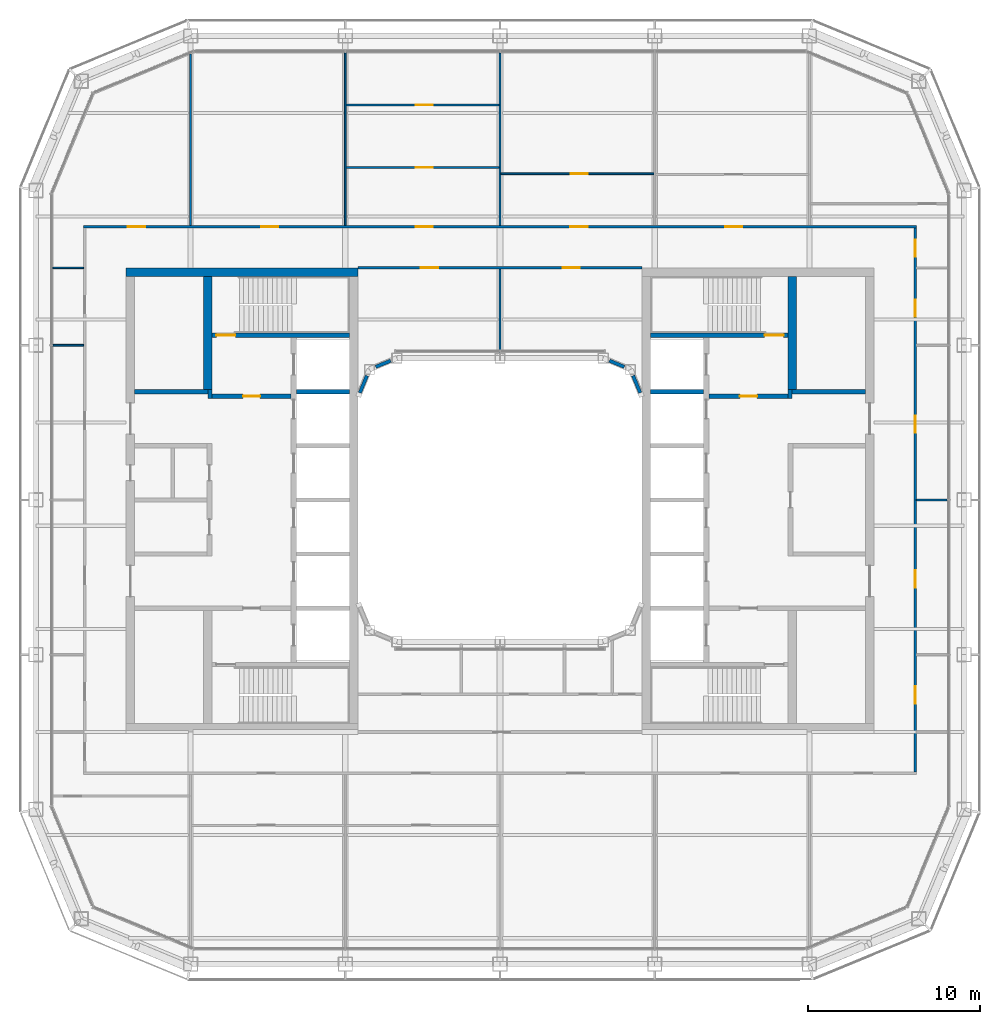
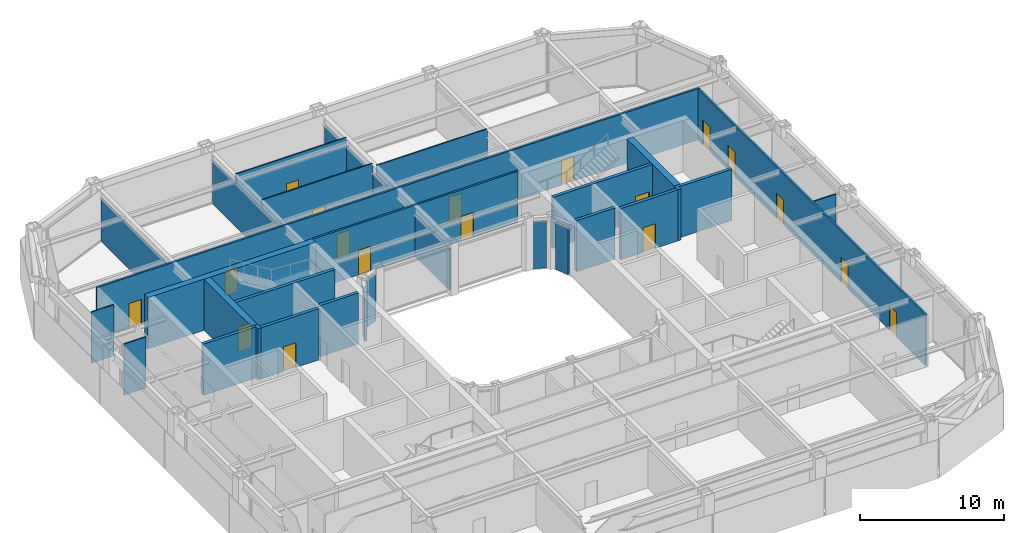
# One storey, part 14 of 19: 30 walls, 19 doors, 19 openings.
"""IFC4 building model written with IfcOpenShell, lengths in metres."""

from ifc_helpers import new_model, si_unit, direction, frame, frame_2d, origin, place, context, subcontext, project, spatial, rectangle, extrude, material, layer, layer_set, type_object, element, fill, save


model = new_model("IFC4")

# Units and contexts
model_context = context("Model", 3, precision=1e-05, world=origin(), true_north=direction((0.0, 1.0)))
body_context = subcontext(model_context, "Body", "Model", "MODEL_VIEW")
ifc_project = project(units=[si_unit("LENGTHUNIT", "METRE"), si_unit("AREAUNIT", "SQUARE_METRE"), si_unit("VOLUMEUNIT", "CUBIC_METRE"), si_unit("PLANEANGLEUNIT", "RADIAN"), si_unit("MASSUNIT", "GRAM", prefix="KILO")], contexts=[model_context])

# Site, building, storey
site_placement = place(None, origin())
site = spatial("IfcSite", under=ifc_project, at=site_placement, CompositionType="ELEMENT")
building_placement = place(site_placement, origin())
building = spatial("IfcBuilding", under=site, at=building_placement, Name="Siwar Civic Tower", CompositionType="ELEMENT")
storey_placement = place(building_placement, frame((0.0, 0.0, 210.699951171875)))
storey = spatial("IfcBuildingStorey", under=building, at=storey_placement, Name="L45", CompositionType="ELEMENT", Elevation=210.699951171875)

# Wall, opening, door
ifc_material_1 = material(Name="Concrete C60/75", Category="concrete")
ifc_layer_1 = layer(ifc_material_1, 0.25)
ifc_layer_set_1 = layer_set([ifc_layer_1], Name="Concrete C60/75")
wall_type_1 = type_object("IfcWallType", Name="CORE-WALL-RC250", PredefinedType="SHEAR", material=ifc_layer_set_1)
wall_1_placement = place(storey_placement, frame((-12.14990234375, 6.02490234375, 0.0), z_axis=(0.0, 0.0, 1.0), x_axis=(-1.0, 0.0, 0.0)))
wall_1 = element("IfcWall", 1, at=wall_1_placement, inside=storey, type_object=wall_type_1, Name="Core wall W", PredefinedType="SHEAR", context=body_context, shape_type="SweptSolid", body=[
    extrude(rectangle(XDim=4.60009765625, YDim=0.25, at=frame_2d((2.300048828125, 0.0))), origin(), (0.0, 0.0, 1.0), 4.35009765625),
])
opening_1_placement = place(wall_1_placement, frame((1.800048828125, 0.0, 0.0)))
opening_1 = element("IfcOpeningElement", 2, at=opening_1_placement, cuts=wall_1, Name="Opening L45-CW01", PredefinedType="OPENING", context=body_context, shape_type="SweptSolid", body=[
    extrude(rectangle(XDim=1.0, YDim=2.10009765625, at=frame_2d((0.5, 1.050048828125))), frame((0.0, 0.135009765625, 0.0), z_axis=(0.0, -1.0, 0.0), x_axis=(1.0, 0.0, 0.0)), (0.0, 0.0, 1.0), 0.27001953125),
])
ifc_material_2 = material(Name="Steel door leaf", Category="steel")
door_type_1 = type_object("IfcDoorType", Name="CORE-DOOR-FD30S", OperationType="SINGLE_SWING_LEFT", PredefinedType="DOOR", material=ifc_material_2)
door_1_placement = place(opening_1_placement, origin())
door_1 = element("IfcDoor", 3, at=door_1_placement, inside=storey, type_object=door_type_1, Name="Firefighting lobby door L45-CW01", OperationType="SINGLE_SWING_LEFT", OverallHeight=2.10009765625, OverallWidth=1.0, PredefinedType="DOOR", context=body_context, shape_type="SweptSolid", body=[
    extrude(rectangle(XDim=1.0, YDim=2.10009765625, at=frame_2d((0.5, 1.050048828125))), frame((0.0, 0.02490234375, 0.0), z_axis=(0.0, -1.0, 0.0), x_axis=(1.0, 0.0, 0.0)), (0.0, 0.0, 1.0), 0.050048828125),
])
fill(opening_1, door_1)

# Walls
wall_2_placement = place(storey_placement, frame((-16.875, 5.89990234375, 0.0), z_axis=(0.0, 0.0, 1.0), x_axis=(0.0, 1.0, 0.0)))
element("IfcWall", 4, at=wall_2_placement, inside=storey, type_object=wall_type_1, Name="Core wall W", PredefinedType="SHEAR", context=body_context, shape_type="SweptSolid", body=[
    extrude(rectangle(XDim=0.525146484375, YDim=0.25, at=frame_2d((0.2626953125, 0.0))), origin(), (0.0, 0.0, 1.0), 4.35009765625),
])
wall_3_placement = place(storey_placement, frame((-17.0, 6.300048828125, 0.0), z_axis=(0.0, 0.0, 1.0), x_axis=(-1.0, 0.0, 0.0)))
element("IfcWall", 5, at=wall_3_placement, inside=storey, type_object=wall_type_1, Name="Core wall W", PredefinedType="SHEAR", context=body_context, shape_type="SweptSolid", body=[
    extrude(rectangle(XDim=4.25, YDim=0.25, at=frame_2d((2.125, 0.0))), origin(), (0.0, 0.0, 1.0), 4.35009765625),
])
wall_4_placement = place(storey_placement, frame((-8.75, 6.300048828125, 0.0), z_axis=(0.0, 0.0, 1.0), x_axis=(-1.0, 0.0, 0.0)))
element("IfcWall", 6, at=wall_4_placement, inside=storey, type_object=wall_type_1, Name="Core wall W", PredefinedType="SHEAR", context=body_context, shape_type="SweptSolid", body=[
    extrude(rectangle(XDim=3.10009765625, YDim=0.25, at=frame_2d((1.550048828125, 0.0))), origin(), (0.0, 0.0, 1.0), 4.35009765625),
])

# Wall, opening, door
wall_5_placement = place(storey_placement, frame((-8.75, 9.574951171875, 0.0), z_axis=(0.0, 0.0, 1.0), x_axis=(-1.0, 0.0, 0.0)))
wall_5 = element("IfcWall", 7, at=wall_5_placement, inside=storey, type_object=wall_type_1, Name="Core wall W", PredefinedType="SHEAR", context=body_context, shape_type="SweptSolid", body=[
    extrude(rectangle(XDim=8.0, YDim=0.25, at=frame_2d((4.0, 0.0))), origin(), (0.0, 0.0, 1.0), 4.35009765625),
])
opening_2_placement = place(wall_5_placement, frame((6.64990234375, 0.0, 0.0)))
opening_2 = element("IfcOpeningElement", 8, at=opening_2_placement, cuts=wall_5, Name="Opening L45-CW03", PredefinedType="OPENING", context=body_context, shape_type="SweptSolid", body=[
    extrude(rectangle(XDim=1.10009765625, YDim=2.10009765625, at=frame_2d((0.550048828125, 1.050048828125))), frame((0.0, 0.135009765625, 0.0), z_axis=(0.0, -1.0, 0.0), x_axis=(1.0, 0.0, 0.0)), (0.0, 0.0, 1.0), 0.27001953125),
])
ifc_material_3 = material(Name="Steel door leaf", Category="steel")
door_type_2 = type_object("IfcDoorType", Name="CORE-DOOR-FD60S", OperationType="SINGLE_SWING_LEFT", PredefinedType="DOOR", material=ifc_material_3)
door_2_placement = place(opening_2_placement, origin())
door_2 = element("IfcDoor", 9, at=door_2_placement, inside=storey, type_object=door_type_2, Name="Stair door L45-CW03", OperationType="SINGLE_SWING_RIGHT", OverallHeight=2.10009765625, OverallWidth=1.10009765625, PredefinedType="DOOR", context=body_context, shape_type="SweptSolid", body=[
    extrude(rectangle(XDim=1.10009765625, YDim=2.10009765625, at=frame_2d((0.550048828125, 1.050048828125))), frame((0.0, 0.02490234375, 0.0), z_axis=(0.0, -1.0, 0.0), x_axis=(1.0, 0.0, 0.0)), (0.0, 0.0, 1.0), 0.050048828125),
])
fill(opening_2, door_2)

wall_6_placement = place(storey_placement, frame((12.14990234375, 6.02490234375, 0.0), z_axis=(0.0, 0.0, 1.0), x_axis=(1.0, 0.0, 0.0)))
wall_6 = element("IfcWall", 10, at=wall_6_placement, inside=storey, type_object=wall_type_1, Name="Core wall E", PredefinedType="SHEAR", context=body_context, shape_type="SweptSolid", body=[
    extrude(rectangle(XDim=4.60009765625, YDim=0.25, at=frame_2d((2.300048828125, 0.0))), origin(), (0.0, 0.0, 1.0), 4.35009765625),
])
opening_3_placement = place(wall_6_placement, frame((1.800048828125, 0.0, 0.0)))
opening_3 = element("IfcOpeningElement", 11, at=opening_3_placement, cuts=wall_6, Name="Opening L45-CE01", PredefinedType="OPENING", context=body_context, shape_type="SweptSolid", body=[
    extrude(rectangle(XDim=1.0, YDim=2.10009765625, at=frame_2d((0.5, 1.050048828125))), frame((0.0, 0.135009765625, 0.0), z_axis=(0.0, -1.0, 0.0), x_axis=(1.0, 0.0, 0.0)), (0.0, 0.0, 1.0), 0.27001953125),
])
door_3_placement = place(opening_3_placement, origin())
door_3 = element("IfcDoor", 12, at=door_3_placement, inside=storey, type_object=door_type_1, Name="Firefighting lobby door L45-CE01", OperationType="SINGLE_SWING_RIGHT", OverallHeight=2.10009765625, OverallWidth=1.0, PredefinedType="DOOR", context=body_context, shape_type="SweptSolid", body=[
    extrude(rectangle(XDim=1.0, YDim=2.10009765625, at=frame_2d((0.5, 1.050048828125))), frame((0.0, 0.02490234375, 0.0), z_axis=(0.0, -1.0, 0.0), x_axis=(1.0, 0.0, 0.0)), (0.0, 0.0, 1.0), 0.050048828125),
])
fill(opening_3, door_3)

# Walls
wall_7_placement = place(storey_placement, frame((16.875, 5.89990234375, 0.0), z_axis=(0.0, 0.0, 1.0), x_axis=(0.0, 1.0, 0.0)))
element("IfcWall", 13, at=wall_7_placement, inside=storey, type_object=wall_type_1, Name="Core wall E", PredefinedType="SHEAR", context=body_context, shape_type="SweptSolid", body=[
    extrude(rectangle(XDim=0.525146484375, YDim=0.25, at=frame_2d((0.2626953125, 0.0))), origin(), (0.0, 0.0, 1.0), 4.35009765625),
])
wall_8_placement = place(storey_placement, frame((17.0, 6.300048828125, 0.0), z_axis=(0.0, 0.0, 1.0), x_axis=(1.0, 0.0, 0.0)))
element("IfcWall", 14, at=wall_8_placement, inside=storey, type_object=wall_type_1, Name="Core wall E", PredefinedType="SHEAR", context=body_context, shape_type="SweptSolid", body=[
    extrude(rectangle(XDim=4.25, YDim=0.25, at=frame_2d((2.125, 0.0))), origin(), (0.0, 0.0, 1.0), 4.35009765625),
])
wall_9_placement = place(storey_placement, frame((8.75, 6.300048828125, 0.0), z_axis=(0.0, 0.0, 1.0), x_axis=(1.0, 0.0, 0.0)))
element("IfcWall", 15, at=wall_9_placement, inside=storey, type_object=wall_type_1, Name="Core wall E", PredefinedType="SHEAR", context=body_context, shape_type="SweptSolid", body=[
    extrude(rectangle(XDim=3.10009765625, YDim=0.25, at=frame_2d((1.550048828125, 0.0))), origin(), (0.0, 0.0, 1.0), 4.35009765625),
])

# Wall, opening, door
wall_10_placement = place(storey_placement, frame((8.75, 9.574951171875, 0.0), z_axis=(0.0, 0.0, 1.0), x_axis=(1.0, 0.0, 0.0)))
wall_10 = element("IfcWall", 16, at=wall_10_placement, inside=storey, type_object=wall_type_1, Name="Core wall E", PredefinedType="SHEAR", context=body_context, shape_type="SweptSolid", body=[
    extrude(rectangle(XDim=8.0, YDim=0.25, at=frame_2d((4.0, 0.0))), origin(), (0.0, 0.0, 1.0), 4.35009765625),
])
opening_4_placement = place(wall_10_placement, frame((6.64990234375, 0.0, 0.0)))
opening_4 = element("IfcOpeningElement", 17, at=opening_4_placement, cuts=wall_10, Name="Opening L45-CE03", PredefinedType="OPENING", context=body_context, shape_type="SweptSolid", body=[
    extrude(rectangle(XDim=1.10009765625, YDim=2.10009765625, at=frame_2d((0.550048828125, 1.050048828125))), frame((0.0, 0.135009765625, 0.0), z_axis=(0.0, -1.0, 0.0), x_axis=(1.0, 0.0, 0.0)), (0.0, 0.0, 1.0), 0.27001953125),
])
door_4_placement = place(opening_4_placement, origin())
door_4 = element("IfcDoor", 18, at=door_4_placement, inside=storey, type_object=door_type_2, Name="Stair door L45-CE03", OperationType="SINGLE_SWING_LEFT", OverallHeight=2.10009765625, OverallWidth=1.10009765625, PredefinedType="DOOR", context=body_context, shape_type="SweptSolid", body=[
    extrude(rectangle(XDim=1.10009765625, YDim=2.10009765625, at=frame_2d((0.550048828125, 1.050048828125))), frame((0.0, 0.02490234375, 0.0), z_axis=(0.0, -1.0, 0.0), x_axis=(1.0, 0.0, 0.0)), (0.0, 0.0, 1.0), 0.050048828125),
])
fill(opening_4, door_4)

# Walls
ifc_material_4 = material(Name="Concrete C60/75", Category="concrete")
ifc_layer_2 = layer(ifc_material_4, 0.5)
ifc_layer_set_2 = layer_set([ifc_layer_2], Name="Concrete C60/75")
wall_type_2 = type_object("IfcWallType", Name="CORE-WALL-RC500", PredefinedType="SHEAR", material=ifc_layer_set_2)
wall_11_placement = place(storey_placement, frame((-17.0, 6.425048828125, 0.0), z_axis=(0.0, 0.0, 1.0), x_axis=(0.0, 1.0, 0.0)))
element("IfcWall", 19, at=wall_11_placement, inside=storey, type_object=wall_type_2, Name="Core wall W", PredefinedType="SHEAR", context=body_context, shape_type="SweptSolid", body=[
    extrude(rectangle(XDim=6.574951171875, YDim=0.5, at=frame_2d((3.28759765625, 0.0))), origin(), (0.0, 0.0, 1.0), 4.35009765625),
])
wall_12_placement = place(storey_placement, frame((-8.25, 13.25, 0.0), z_axis=(0.0, 0.0, 1.0), x_axis=(-1.0, 0.0, 0.0)))
element("IfcWall", 20, at=wall_12_placement, inside=storey, type_object=wall_type_2, Name="Core wall W", PredefinedType="SHEAR", context=body_context, shape_type="SweptSolid", body=[
    extrude(rectangle(XDim=13.5, YDim=0.5, at=frame_2d((6.75, 0.0))), origin(), (0.0, 0.0, 1.0), 4.35009765625),
])
wall_13_placement = place(storey_placement, frame((17.0, 6.425048828125, 0.0), z_axis=(0.0, 0.0, 1.0), x_axis=(0.0, 1.0, 0.0)))
element("IfcWall", 21, at=wall_13_placement, inside=storey, type_object=wall_type_2, Name="Core wall E", PredefinedType="SHEAR", context=body_context, shape_type="SweptSolid", body=[
    extrude(rectangle(XDim=6.574951171875, YDim=0.5, at=frame_2d((3.28759765625, 0.0))), origin(), (0.0, 0.0, 1.0), 4.35009765625),
])

# Wall, openings, doors
ifc_material_5 = material(Name="Gypsum board on steel studs", Category="steel")
ifc_layer_3 = layer(ifc_material_5, 0.14990234375)
ifc_layer_set_3 = layer_set([ifc_layer_3], Name="Gypsum board on steel studs")
wall_type_3 = type_object("IfcWallType", Name="CORRIDOR PARTITION 150 EI 30", PredefinedType="PARTITIONING", material=ifc_layer_set_3)
wall_14_placement = place(storey_placement, frame((-8.25, 13.5, 0.0), z_axis=(0.0, 0.0, 1.0), x_axis=(1.0, 0.0, 0.0)))
wall_14 = element("IfcWall", 22, at=wall_14_placement, inside=storey, type_object=wall_type_3, Name="L45/wall/P17", PredefinedType="PARTITIONING", context=body_context, shape_type="SweptSolid", body=[
    extrude(rectangle(XDim=16.5, YDim=0.14990234375, at=frame_2d((8.25, 0.0))), origin(), (0.0, 0.0, 1.0), 4.35009765625),
])
opening_5_placement = place(wall_14_placement, frame((3.64990234375, 0.0, 0.0)))
opening_5 = element("IfcOpeningElement", 23, at=opening_5_placement, cuts=wall_14, Name="Opening D1", PredefinedType="OPENING", context=body_context, shape_type="SweptSolid", body=[
    extrude(rectangle(XDim=1.0, YDim=2.10009765625, at=frame_2d((0.5, 1.050048828125))), frame((0.0, 0.0849609375, 0.0), z_axis=(0.0, -1.0, 0.0), x_axis=(1.0, 0.0, 0.0)), (0.0, 0.0, 1.0), 0.169921875),
])
opening_6_placement = place(wall_14_placement, frame((11.89990234375, 0.0, 0.0)))
opening_6 = element("IfcOpeningElement", 24, at=opening_6_placement, cuts=wall_14, Name="Opening D1", PredefinedType="OPENING", context=body_context, shape_type="SweptSolid", body=[
    extrude(rectangle(XDim=1.0, YDim=2.10009765625, at=frame_2d((0.5, 1.050048828125))), frame((0.0, 0.0849609375, 0.0), z_axis=(0.0, -1.0, 0.0), x_axis=(1.0, 0.0, 0.0)), (0.0, 0.0, 1.0), 0.169921875),
])
ifc_material_6 = material(Name="Timber, painted", Category="wood")
door_type_3 = type_object("IfcDoorType", Name="DOOR 1000 X 2100 FD30", OperationType="SINGLE_SWING_LEFT", PredefinedType="DOOR", material=ifc_material_6)
door_5_placement = place(opening_5_placement, origin())
door_5 = element("IfcDoor", 25, at=door_5_placement, inside=storey, type_object=door_type_3, Name="L45-D29", OperationType="SINGLE_SWING_LEFT", OverallHeight=2.10009765625, OverallWidth=1.0, PredefinedType="DOOR", context=body_context, shape_type="SweptSolid", body=[
    extrude(rectangle(XDim=1.0, YDim=2.10009765625, at=frame_2d((0.5, 1.050048828125))), frame((0.0, 0.02490234375, 0.0), z_axis=(0.0, -1.0, 0.0), x_axis=(1.0, 0.0, 0.0)), (0.0, 0.0, 1.0), 0.050048828125),
])
fill(opening_5, door_5)
door_6_placement = place(opening_6_placement, origin())
door_6 = element("IfcDoor", 26, at=door_6_placement, inside=storey, type_object=door_type_3, Name="L45-D30", OperationType="SINGLE_SWING_RIGHT", OverallHeight=2.10009765625, OverallWidth=1.0, PredefinedType="DOOR", context=body_context, shape_type="SweptSolid", body=[
    extrude(rectangle(XDim=1.0, YDim=2.10009765625, at=frame_2d((0.5, 1.050048828125))), frame((0.0, 0.02490234375, 0.0), z_axis=(0.0, -1.0, 0.0), x_axis=(1.0, 0.0, 0.0)), (0.0, 0.0, 1.0), 0.050048828125),
])
fill(opening_6, door_6)

wall_15_placement = place(storey_placement, frame((-24.22509765625, 15.89990234375, 0.0), z_axis=(0.0, 0.0, 1.0), x_axis=(1.0, 0.0, 0.0)))
wall_15 = element("IfcWall", 27, at=wall_15_placement, inside=storey, type_object=wall_type_3, Name="L45/wall/P18", PredefinedType="PARTITIONING", context=body_context, shape_type="SweptSolid", body=[
    extrude(rectangle(XDim=48.4501953125, YDim=0.14990234375, at=frame_2d((24.22509765625, 0.0))), origin(), (0.0, 0.0, 1.0), 4.35009765625),
])
opening_7_placement = place(wall_15_placement, frame((10.324951171875, 0.0, 0.0)))
opening_7 = element("IfcOpeningElement", 28, at=opening_7_placement, cuts=wall_15, Name="Opening D1", PredefinedType="OPENING", context=body_context, shape_type="SweptSolid", body=[
    extrude(rectangle(XDim=1.0, YDim=2.10009765625, at=frame_2d((0.5, 1.050048828125))), frame((0.0, 0.0849609375, 0.0), z_axis=(0.0, -1.0, 0.0), x_axis=(1.0, 0.0, 0.0)), (0.0, 0.0, 1.0), 0.169921875),
])
opening_8_placement = place(wall_15_placement, frame((19.324951171875, 0.0, 0.0)))
opening_8 = element("IfcOpeningElement", 29, at=opening_8_placement, cuts=wall_15, Name="Opening D1", PredefinedType="OPENING", context=body_context, shape_type="SweptSolid", body=[
    extrude(rectangle(XDim=1.0, YDim=2.10009765625, at=frame_2d((0.5, 1.050048828125))), frame((0.0, 0.0849609375, 0.0), z_axis=(0.0, -1.0, 0.0), x_axis=(1.0, 0.0, 0.0)), (0.0, 0.0, 1.0), 0.169921875),
])
opening_9_placement = place(wall_15_placement, frame((28.324951171875, 0.0, 0.0)))
opening_9 = element("IfcOpeningElement", 30, at=opening_9_placement, cuts=wall_15, Name="Opening D1", PredefinedType="OPENING", context=body_context, shape_type="SweptSolid", body=[
    extrude(rectangle(XDim=1.0, YDim=2.10009765625, at=frame_2d((0.5, 1.050048828125))), frame((0.0, 0.0849609375, 0.0), z_axis=(0.0, -1.0, 0.0), x_axis=(1.0, 0.0, 0.0)), (0.0, 0.0, 1.0), 0.169921875),
])
opening_10_placement = place(wall_15_placement, frame((37.324951171875, 0.0, 0.0)))
opening_10 = element("IfcOpeningElement", 31, at=opening_10_placement, cuts=wall_15, Name="Opening D1", PredefinedType="OPENING", context=body_context, shape_type="SweptSolid", body=[
    extrude(rectangle(XDim=1.0, YDim=2.10009765625, at=frame_2d((0.5, 1.050048828125))), frame((0.0, 0.0849609375, 0.0), z_axis=(0.0, -1.0, 0.0), x_axis=(1.0, 0.0, 0.0)), (0.0, 0.0, 1.0), 0.169921875),
])
opening_11_placement = place(wall_15_placement, frame((2.574951171875, 0.0, 0.0)))
opening_11 = element("IfcOpeningElement", 32, at=opening_11_placement, cuts=wall_15, Name="Opening D1", PredefinedType="OPENING", context=body_context, shape_type="SweptSolid", body=[
    extrude(rectangle(XDim=1.0, YDim=2.10009765625, at=frame_2d((0.5, 1.050048828125))), frame((0.0, 0.0849609375, 0.0), z_axis=(0.0, -1.0, 0.0), x_axis=(1.0, 0.0, 0.0)), (0.0, 0.0, 1.0), 0.169921875),
])
door_7_placement = place(opening_7_placement, origin())
door_7 = element("IfcDoor", 33, at=door_7_placement, inside=storey, type_object=door_type_3, Name="L45-D01", OperationType="SINGLE_SWING_LEFT", OverallHeight=2.10009765625, OverallWidth=1.0, PredefinedType="DOOR", context=body_context, shape_type="SweptSolid", body=[
    extrude(rectangle(XDim=1.0, YDim=2.10009765625, at=frame_2d((0.5, 1.050048828125))), frame((0.0, 0.02490234375, 0.0), z_axis=(0.0, -1.0, 0.0), x_axis=(1.0, 0.0, 0.0)), (0.0, 0.0, 1.0), 0.050048828125),
])
fill(opening_7, door_7)
door_8_placement = place(opening_8_placement, origin())
door_8 = element("IfcDoor", 34, at=door_8_placement, inside=storey, type_object=door_type_3, Name="L45-D02", OperationType="SINGLE_SWING_RIGHT", OverallHeight=2.10009765625, OverallWidth=1.0, PredefinedType="DOOR", context=body_context, shape_type="SweptSolid", body=[
    extrude(rectangle(XDim=1.0, YDim=2.10009765625, at=frame_2d((0.5, 1.050048828125))), frame((0.0, 0.02490234375, 0.0), z_axis=(0.0, -1.0, 0.0), x_axis=(1.0, 0.0, 0.0)), (0.0, 0.0, 1.0), 0.050048828125),
])
fill(opening_8, door_8)
door_9_placement = place(opening_9_placement, origin())
door_9 = element("IfcDoor", 35, at=door_9_placement, inside=storey, type_object=door_type_3, Name="L45-D05", OperationType="SINGLE_SWING_LEFT", OverallHeight=2.10009765625, OverallWidth=1.0, PredefinedType="DOOR", context=body_context, shape_type="SweptSolid", body=[
    extrude(rectangle(XDim=1.0, YDim=2.10009765625, at=frame_2d((0.5, 1.050048828125))), frame((0.0, 0.02490234375, 0.0), z_axis=(0.0, -1.0, 0.0), x_axis=(1.0, 0.0, 0.0)), (0.0, 0.0, 1.0), 0.050048828125),
])
fill(opening_9, door_9)
door_10_placement = place(opening_10_placement, origin())
door_10 = element("IfcDoor", 36, at=door_10_placement, inside=storey, type_object=door_type_3, Name="L45-D07", OperationType="SINGLE_SWING_LEFT", OverallHeight=2.10009765625, OverallWidth=1.0, PredefinedType="DOOR", context=body_context, shape_type="SweptSolid", body=[
    extrude(rectangle(XDim=1.0, YDim=2.10009765625, at=frame_2d((0.5, 1.050048828125))), frame((0.0, 0.02490234375, 0.0), z_axis=(0.0, -1.0, 0.0), x_axis=(1.0, 0.0, 0.0)), (0.0, 0.0, 1.0), 0.050048828125),
])
fill(opening_10, door_10)
door_11_placement = place(opening_11_placement, origin())
door_11 = element("IfcDoor", 37, at=door_11_placement, inside=storey, type_object=door_type_3, Name="L45-D15", OperationType="SINGLE_SWING_LEFT", OverallHeight=2.10009765625, OverallWidth=1.0, PredefinedType="DOOR", context=body_context, shape_type="SweptSolid", body=[
    extrude(rectangle(XDim=1.0, YDim=2.10009765625, at=frame_2d((0.5, 1.050048828125))), frame((0.0, 0.02490234375, 0.0), z_axis=(0.0, -1.0, 0.0), x_axis=(1.0, 0.0, 0.0)), (0.0, 0.0, 1.0), 0.050048828125),
])
fill(opening_11, door_11)

wall_16_placement = place(storey_placement, frame((24.14990234375, -15.824951171875, 0.0), z_axis=(0.0, 0.0, 1.0), x_axis=(0.0, 1.0, 0.0)))
wall_16 = element("IfcWall", 38, at=wall_16_placement, inside=storey, type_object=wall_type_3, Name="L45/wall/P40", PredefinedType="PARTITIONING", context=body_context, shape_type="SweptSolid", body=[
    extrude(rectangle(XDim=31.64990234375, YDim=0.14990234375, at=frame_2d((15.824951171875, 0.0))), origin(), (0.0, 0.0, 1.0), 4.35009765625),
])
opening_12_placement = place(wall_16_placement, frame((29.97509765625, 0.0, 0.0)))
opening_12 = element("IfcOpeningElement", 39, at=opening_12_placement, cuts=wall_16, Name="Opening D1", PredefinedType="OPENING", context=body_context, shape_type="SweptSolid", body=[
    extrude(rectangle(XDim=1.0, YDim=2.10009765625, at=frame_2d((0.5, 1.050048828125))), frame((0.0, 0.0849609375, 0.0), z_axis=(0.0, -1.0, 0.0), x_axis=(1.0, 0.0, 0.0)), (0.0, 0.0, 1.0), 0.169921875),
])
opening_13_placement = place(wall_16_placement, frame((3.97509765625, 0.0, 0.0)))
opening_13 = element("IfcOpeningElement", 40, at=opening_13_placement, cuts=wall_16, Name="Opening D1", PredefinedType="OPENING", context=body_context, shape_type="SweptSolid", body=[
    extrude(rectangle(XDim=1.0, YDim=2.10009765625, at=frame_2d((0.5, 1.050048828125))), frame((0.0, 0.0849609375, 0.0), z_axis=(0.0, -1.0, 0.0), x_axis=(1.0, 0.0, 0.0)), (0.0, 0.0, 1.0), 0.169921875),
])
opening_14_placement = place(wall_16_placement, frame((10.72509765625, 0.0, 0.0)))
opening_14 = element("IfcOpeningElement", 41, at=opening_14_placement, cuts=wall_16, Name="Opening D1", PredefinedType="OPENING", context=body_context, shape_type="SweptSolid", body=[
    extrude(rectangle(XDim=1.0, YDim=2.10009765625, at=frame_2d((0.5, 1.050048828125))), frame((0.0, 0.0849609375, 0.0), z_axis=(0.0, -1.0, 0.0), x_axis=(1.0, 0.0, 0.0)), (0.0, 0.0, 1.0), 0.169921875),
])
opening_15_placement = place(wall_16_placement, frame((19.72509765625, 0.0, 0.0)))
opening_15 = element("IfcOpeningElement", 42, at=opening_15_placement, cuts=wall_16, Name="Opening D1", PredefinedType="OPENING", context=body_context, shape_type="SweptSolid", body=[
    extrude(rectangle(XDim=1.0, YDim=2.10009765625, at=frame_2d((0.5, 1.050048828125))), frame((0.0, 0.0849609375, 0.0), z_axis=(0.0, -1.0, 0.0), x_axis=(1.0, 0.0, 0.0)), (0.0, 0.0, 1.0), 0.169921875),
])
opening_16_placement = place(wall_16_placement, frame((26.47509765625, 0.0, 0.0)))
opening_16 = element("IfcOpeningElement", 43, at=opening_16_placement, cuts=wall_16, Name="Opening D1", PredefinedType="OPENING", context=body_context, shape_type="SweptSolid", body=[
    extrude(rectangle(XDim=1.0, YDim=2.10009765625, at=frame_2d((0.5, 1.050048828125))), frame((0.0, 0.0849609375, 0.0), z_axis=(0.0, -1.0, 0.0), x_axis=(1.0, 0.0, 0.0)), (0.0, 0.0, 1.0), 0.169921875),
])
door_12_placement = place(opening_12_placement, origin())
door_12 = element("IfcDoor", 44, at=door_12_placement, inside=storey, type_object=door_type_3, Name="L45-D16", OperationType="SINGLE_SWING_RIGHT", OverallHeight=2.10009765625, OverallWidth=1.0, PredefinedType="DOOR", context=body_context, shape_type="SweptSolid", body=[
    extrude(rectangle(XDim=1.0, YDim=2.10009765625, at=frame_2d((0.5, 1.050048828125))), frame((0.0, 0.02490234375, 0.0), z_axis=(0.0, -1.0, 0.0), x_axis=(1.0, 0.0, 0.0)), (0.0, 0.0, 1.0), 0.050048828125),
])
fill(opening_12, door_12)
door_13_placement = place(opening_13_placement, origin())
door_13 = element("IfcDoor", 45, at=door_13_placement, inside=storey, type_object=door_type_3, Name="L45-D25", OperationType="SINGLE_SWING_LEFT", OverallHeight=2.10009765625, OverallWidth=1.0, PredefinedType="DOOR", context=body_context, shape_type="SweptSolid", body=[
    extrude(rectangle(XDim=1.0, YDim=2.10009765625, at=frame_2d((0.5, 1.050048828125))), frame((0.0, 0.02490234375, 0.0), z_axis=(0.0, -1.0, 0.0), x_axis=(1.0, 0.0, 0.0)), (0.0, 0.0, 1.0), 0.050048828125),
])
fill(opening_13, door_13)
door_14_placement = place(opening_14_placement, origin())
door_14 = element("IfcDoor", 46, at=door_14_placement, inside=storey, type_object=door_type_3, Name="L45-D26", OperationType="SINGLE_SWING_RIGHT", OverallHeight=2.10009765625, OverallWidth=1.0, PredefinedType="DOOR", context=body_context, shape_type="SweptSolid", body=[
    extrude(rectangle(XDim=1.0, YDim=2.10009765625, at=frame_2d((0.5, 1.050048828125))), frame((0.0, 0.02490234375, 0.0), z_axis=(0.0, -1.0, 0.0), x_axis=(1.0, 0.0, 0.0)), (0.0, 0.0, 1.0), 0.050048828125),
])
fill(opening_14, door_14)
door_15_placement = place(opening_15_placement, origin())
door_15 = element("IfcDoor", 47, at=door_15_placement, inside=storey, type_object=door_type_3, Name="L45-D27", OperationType="SINGLE_SWING_LEFT", OverallHeight=2.10009765625, OverallWidth=1.0, PredefinedType="DOOR", context=body_context, shape_type="SweptSolid", body=[
    extrude(rectangle(XDim=1.0, YDim=2.10009765625, at=frame_2d((0.5, 1.050048828125))), frame((0.0, 0.02490234375, 0.0), z_axis=(0.0, -1.0, 0.0), x_axis=(1.0, 0.0, 0.0)), (0.0, 0.0, 1.0), 0.050048828125),
])
fill(opening_15, door_15)
door_16_placement = place(opening_16_placement, origin())
door_16 = element("IfcDoor", 48, at=door_16_placement, inside=storey, type_object=door_type_3, Name="L45-D28", OperationType="SINGLE_SWING_RIGHT", OverallHeight=2.10009765625, OverallWidth=1.0, PredefinedType="DOOR", context=body_context, shape_type="SweptSolid", body=[
    extrude(rectangle(XDim=1.0, YDim=2.10009765625, at=frame_2d((0.5, 1.050048828125))), frame((0.0, 0.02490234375, 0.0), z_axis=(0.0, -1.0, 0.0), x_axis=(1.0, 0.0, 0.0)), (0.0, 0.0, 1.0), 0.050048828125),
])
fill(opening_16, door_16)

# Walls
ifc_material_7 = material(Name="Aluminium clad insulated panel", Category="aluminium")
ifc_layer_4 = layer(ifc_material_7, 0.199951171875)
ifc_layer_set_4 = layer_set([ifc_layer_4], Name="Aluminium clad insulated panel")
wall_type_4 = type_object("IfcWallType", Name="ENV-WALL-WELL", PredefinedType="STANDARD", material=ifc_layer_set_4)
wall_17_placement = place(storey_placement, frame((8.154296875, 6.23095703125, 0.0), z_axis=(0.0, 0.0, 1.0), x_axis=(-0.382704496366, 0.923870807235, 0.0)))
element("IfcWall", 49, at=wall_17_placement, inside=storey, type_object=wall_type_4, Name="Light well corner wall NE1", PredefinedType="STANDARD", context=body_context, shape_type="SweptSolid", body=[
    extrude(rectangle(XDim=1.080078125, YDim=0.199951171875, at=frame_2d((0.5400390625, 0.0))), origin(), (0.0, 0.0, 1.0), 3.91796875),
])
for number, where, z_axis, x_axis, name in (
    (50, (7.228759765625, 7.740966796875, 0.0), (0.0, 0.0, 1.0), (-0.923829670615, 0.382803787458, 0.0), "Light well corner wall NE2"),
    (51, (-6.362060546875, 8.10009765625, 0.0), (0.0, 0.0, 1.0), (-0.923829670615, -0.382803787458, 0.0), "Light well corner wall NW1"),
):
    element("IfcWall", number, at=place(storey_placement, frame(where, z_axis=z_axis, x_axis=x_axis)), inside=storey, type_object=wall_type_4, Name=name, PredefinedType="STANDARD", context=body_context, shape_type="SweptSolid", body=[
        extrude(rectangle(XDim=0.938232421875, YDim=0.199951171875, at=frame_2d((0.46923828125, 0.0))), origin(), (0.0, 0.0, 1.0), 3.91796875),
    ])
wall_18_placement = place(storey_placement, frame((-7.740966796875, 7.228759765625, 0.0), z_axis=(0.0, 0.0, 1.0), x_axis=(-0.382704496366, -0.923870807235, 0.0)))
element("IfcWall", 52, at=wall_18_placement, inside=storey, type_object=wall_type_4, Name="Light well corner wall NW2", PredefinedType="STANDARD", context=body_context, shape_type="SweptSolid", body=[
    extrude(rectangle(XDim=1.080078125, YDim=0.199951171875, at=frame_2d((0.5400390625, 0.0))), origin(), (0.0, 0.0, 1.0), 3.91796875),
])
ifc_material_8 = material(Name="Gypsum board on steel studs", Category="steel")
ifc_layer_5 = layer(ifc_material_8, 0.10009765625)
ifc_layer_set_5 = layer_set([ifc_layer_5], Name="Gypsum board on steel studs")
wall_type_5 = type_object("IfcWallType", Name="PARTITION 100 GYPSUM", PredefinedType="PARTITIONING", material=ifc_layer_set_5)
for number, where, z_axis, x_axis, name in (
    (53, (24.22509765625, 0.0, 0.0), (0.0, 0.0, 1.0), (1.0, 0.0, 0.0), "L45/wall/P12"),
    (54, (-26.010009765625, 9.0, 0.0), (0.0, 0.0, 1.0), (1.0, 0.0, 0.0), "L45/wall/P13"),
    (55, (-26.010009765625, 13.5, 0.0), (0.0, 0.0, 1.0), (1.0, 0.0, 0.0), "L45/wall/P15"),
):
    element("IfcWall", number, at=place(storey_placement, frame(where, z_axis=z_axis, x_axis=x_axis)), inside=storey, type_object=wall_type_5, Name=name, PredefinedType="PARTITIONING", context=body_context, shape_type="SweptSolid", body=[
        extrude(rectangle(XDim=1.784912109375, YDim=0.10009765625, at=frame_2d((0.892578125, 0.0))), origin(), (0.0, 0.0, 1.0), 4.35009765625),
    ])

# Wall, opening, door
wall_19_placement = place(storey_placement, frame((0.050048828125, 18.97998046875, 0.0), z_axis=(0.0, 0.0, 1.0), x_axis=(1.0, 0.0, 0.0)))
wall_19 = element("IfcWall", 56, at=wall_19_placement, inside=storey, type_object=wall_type_5, Name="L45/wall/P21", PredefinedType="PARTITIONING", context=body_context, shape_type="SweptSolid", body=[
    extrude(rectangle(XDim=8.89990234375, YDim=0.10009765625, at=frame_2d((4.449951171875, 0.0))), origin(), (0.0, 0.0, 1.0), 4.35009765625),
])
opening_17_placement = place(wall_19_placement, frame((4.050048828125, 0.0, 0.0)))
opening_17 = element("IfcOpeningElement", 57, at=opening_17_placement, cuts=wall_19, Name="Opening D2", PredefinedType="OPENING", context=body_context, shape_type="SweptSolid", body=[
    extrude(rectangle(XDim=1.0, YDim=2.10009765625, at=frame_2d((0.5, 1.050048828125))), frame((0.0, 0.06005859375, 0.0), z_axis=(0.0, -1.0, 0.0), x_axis=(1.0, 0.0, 0.0)), (0.0, 0.0, 1.0), 0.1201171875),
])
ifc_material_9 = material(Name="Timber, painted", Category="wood")
door_type_4 = type_object("IfcDoorType", Name="DOOR 1000 X 2100", OperationType="SINGLE_SWING_LEFT", PredefinedType="DOOR", material=ifc_material_9)
door_17_placement = place(opening_17_placement, origin())
door_17 = element("IfcDoor", 58, at=door_17_placement, inside=storey, type_object=door_type_4, Name="L45-D06", OperationType="SINGLE_SWING_RIGHT", OverallHeight=2.10009765625, OverallWidth=1.0, PredefinedType="DOOR", context=body_context, shape_type="SweptSolid", body=[
    extrude(rectangle(XDim=1.0, YDim=2.10009765625, at=frame_2d((0.5, 1.050048828125))), frame((0.0, 0.02490234375, 0.0), z_axis=(0.0, -1.0, 0.0), x_axis=(1.0, 0.0, 0.0)), (0.0, 0.0, 1.0), 0.050048828125),
])
fill(opening_17, door_17)

wall_20_placement = place(storey_placement, frame((-8.949951171875, 19.3369140625, 0.0), z_axis=(0.0, 0.0, 1.0), x_axis=(1.0, 0.0, 0.0)))
wall_20 = element("IfcWall", 59, at=wall_20_placement, inside=storey, type_object=wall_type_5, Name="L45/wall/P22", PredefinedType="PARTITIONING", context=body_context, shape_type="SweptSolid", body=[
    extrude(rectangle(XDim=8.89990234375, YDim=0.10009765625, at=frame_2d((4.449951171875, 0.0))), origin(), (0.0, 0.0, 1.0), 4.35009765625),
])
opening_18_placement = place(wall_20_placement, frame((4.050048828125, 0.0, 0.0)))
opening_18 = element("IfcOpeningElement", 60, at=opening_18_placement, cuts=wall_20, Name="Opening D2", PredefinedType="OPENING", context=body_context, shape_type="SweptSolid", body=[
    extrude(rectangle(XDim=1.0, YDim=2.10009765625, at=frame_2d((0.5, 1.050048828125))), frame((0.0, 0.06005859375, 0.0), z_axis=(0.0, -1.0, 0.0), x_axis=(1.0, 0.0, 0.0)), (0.0, 0.0, 1.0), 0.1201171875),
])
door_18_placement = place(opening_18_placement, origin())
door_18 = element("IfcDoor", 61, at=door_18_placement, inside=storey, type_object=door_type_4, Name="L45-D03", OperationType="SINGLE_SWING_LEFT", OverallHeight=2.10009765625, OverallWidth=1.0, PredefinedType="DOOR", context=body_context, shape_type="SweptSolid", body=[
    extrude(rectangle(XDim=1.0, YDim=2.10009765625, at=frame_2d((0.5, 1.050048828125))), frame((0.0, 0.02490234375, 0.0), z_axis=(0.0, -1.0, 0.0), x_axis=(1.0, 0.0, 0.0)), (0.0, 0.0, 1.0), 0.050048828125),
])
fill(opening_18, door_18)

wall_21_placement = place(storey_placement, frame((-8.949951171875, 22.97705078125, 0.0), z_axis=(0.0, 0.0, 1.0), x_axis=(1.0, 0.0, 0.0)))
wall_21 = element("IfcWall", 62, at=wall_21_placement, inside=storey, type_object=wall_type_5, Name="L45/wall/P23", PredefinedType="PARTITIONING", context=body_context, shape_type="SweptSolid", body=[
    extrude(rectangle(XDim=8.89990234375, YDim=0.10009765625, at=frame_2d((4.449951171875, 0.0))), origin(), (0.0, 0.0, 1.0), 4.35009765625),
])
opening_19_placement = place(wall_21_placement, frame((4.050048828125, 0.0, 0.0)))
opening_19 = element("IfcOpeningElement", 63, at=opening_19_placement, cuts=wall_21, Name="Opening D2", PredefinedType="OPENING", context=body_context, shape_type="SweptSolid", body=[
    extrude(rectangle(XDim=1.0, YDim=2.10009765625, at=frame_2d((0.5, 1.050048828125))), frame((0.0, 0.06005859375, 0.0), z_axis=(0.0, -1.0, 0.0), x_axis=(1.0, 0.0, 0.0)), (0.0, 0.0, 1.0), 0.1201171875),
])
door_19_placement = place(opening_19_placement, origin())
door_19 = element("IfcDoor", 64, at=door_19_placement, inside=storey, type_object=door_type_4, Name="L45-D04", OperationType="SINGLE_SWING_RIGHT", OverallHeight=2.10009765625, OverallWidth=1.0, PredefinedType="DOOR", context=body_context, shape_type="SweptSolid", body=[
    extrude(rectangle(XDim=1.0, YDim=2.10009765625, at=frame_2d((0.5, 1.050048828125))), frame((0.0, 0.02490234375, 0.0), z_axis=(0.0, -1.0, 0.0), x_axis=(1.0, 0.0, 0.0)), (0.0, 0.0, 1.0), 0.050048828125),
])
fill(opening_19, door_19)

# Walls
wall_22_placement = place(storey_placement, frame((-18.0, 15.97509765625, 0.0), z_axis=(0.0, 0.0, 1.0), x_axis=(0.0, 1.0, 0.0)))
element("IfcWall", 65, at=wall_22_placement, inside=storey, type_object=wall_type_5, Name="L45/wall/P26", PredefinedType="PARTITIONING", context=body_context, shape_type="SweptSolid", body=[
    extrude(rectangle(XDim=9.952880859375, YDim=0.10009765625, at=frame_2d((4.9765625, 0.0))), origin(), (0.0, 0.0, 1.0), 3.650146484375),
])
wall_23_placement = place(storey_placement, frame((-9.0, 15.97509765625, 0.0), z_axis=(0.0, 0.0, 1.0), x_axis=(0.0, 1.0, 0.0)))
element("IfcWall", 66, at=wall_23_placement, inside=storey, type_object=wall_type_5, Name="L45/wall/P29", PredefinedType="PARTITIONING", context=body_context, shape_type="SweptSolid", body=[
    extrude(rectangle(XDim=10.034912109375, YDim=0.10009765625, at=frame_2d((5.017578125, 0.0))), origin(), (0.0, 0.0, 1.0), 3.650146484375),
])
wall_24_placement = place(storey_placement, frame((0.0, 8.60009765625, 0.0), z_axis=(0.0, 0.0, 1.0), x_axis=(0.0, 1.0, 0.0)))
element("IfcWall", 67, at=wall_24_placement, inside=storey, type_object=wall_type_5, Name="L45/wall/P32", PredefinedType="PARTITIONING", context=body_context, shape_type="SweptSolid", body=[
    extrude(rectangle(XDim=4.824951171875, YDim=0.10009765625, at=frame_2d((2.41259765625, 0.0))), origin(), (0.0, 0.0, 1.0), 3.550048828125),
])
wall_25_placement = place(storey_placement, frame((0.0, 15.97509765625, 0.0), z_axis=(0.0, 0.0, 1.0), x_axis=(0.0, 1.0, 0.0)))
element("IfcWall", 68, at=wall_25_placement, inside=storey, type_object=wall_type_5, Name="L45/wall/P33", PredefinedType="PARTITIONING", context=body_context, shape_type="SweptSolid", body=[
    extrude(rectangle(XDim=10.034912109375, YDim=0.10009765625, at=frame_2d((5.017578125, 0.0))), origin(), (0.0, 0.0, 1.0), 3.550048828125),
])

save(model, "model.ifc")
